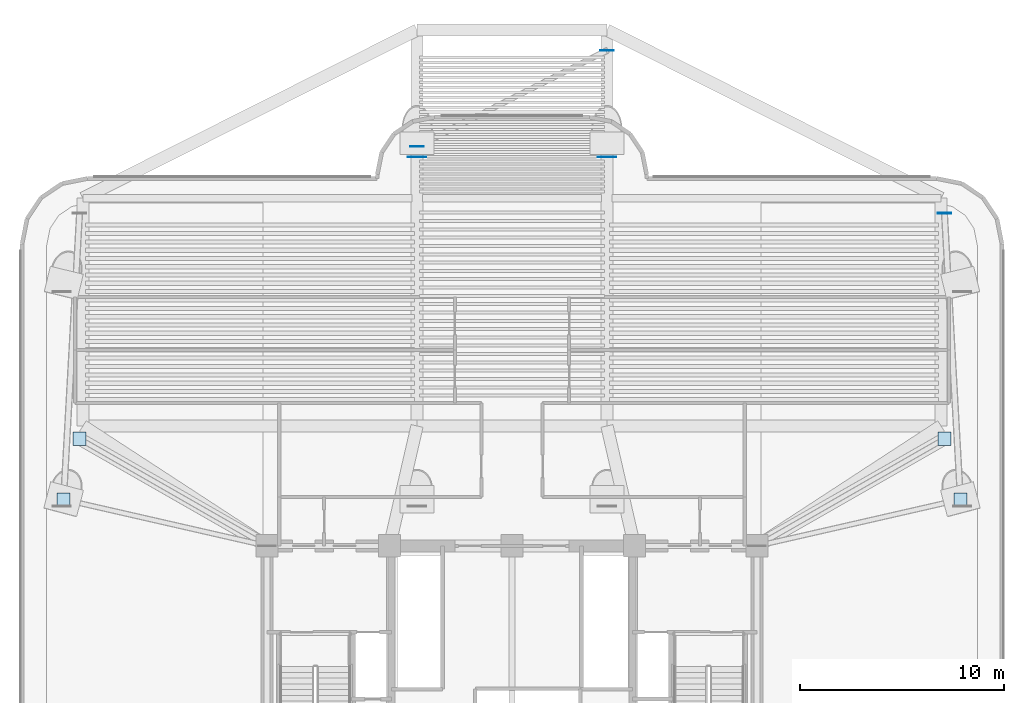
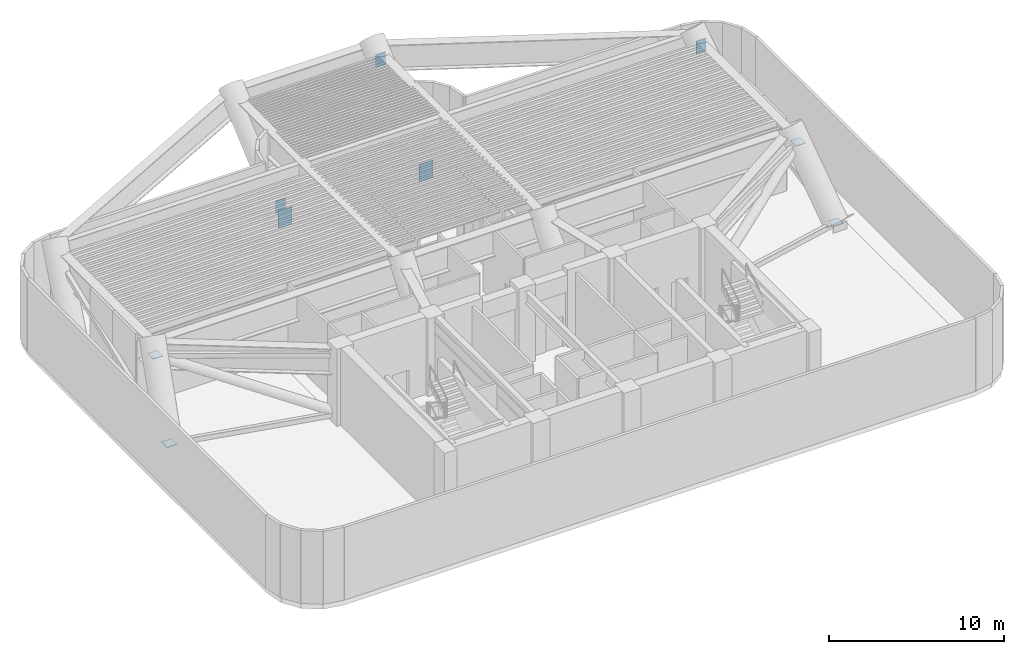
# One storey, part 4 of 11: 9 plates.
"""IFC4 building model written with IfcOpenShell, lengths in metres."""

from ifc_helpers import new_model, si_unit, direction, frame, origin, origin_2d, place, context, subcontext, project, spatial, rectangle, extrude, source, transform, mapped, material, type_object, element, save


model = new_model("IFC4")

# Units and contexts
model_context = context("Model", 3, precision=1e-05, world=origin(), true_north=direction((0.0, 1.0)))
body_context = subcontext(model_context, "Body", "Model", "MODEL_VIEW")
ifc_project = project(units=[si_unit("LENGTHUNIT", "METRE"), si_unit("AREAUNIT", "SQUARE_METRE"), si_unit("VOLUMEUNIT", "CUBIC_METRE"), si_unit("PLANEANGLEUNIT", "RADIAN"), si_unit("MASSUNIT", "GRAM", prefix="KILO")], contexts=[model_context])

# Site, building, storey
site_placement = place(None, origin())
site = spatial("IfcSite", under=ifc_project, at=site_placement, CompositionType="ELEMENT")
building_placement = place(site_placement, origin())
building = spatial("IfcBuilding", under=site, at=building_placement, Name="Brelvock Crest Care Tower", CompositionType="ELEMENT")
storey_placement = place(building_placement, frame((0.0, 0.0, 79.919921875)))
storey = spatial("IfcBuildingStorey", under=building, at=storey_placement, Name="L20", CompositionType="ELEMENT", Elevation=79.919921875)

# Plates
ifc_material = material(Name="Steel Grade 350", Category="steel")
plate_type_1 = type_object("IfcPlateType", Name="PLT-KN1", PredefinedType="USERDEFINED", material=ifc_material)
shared_shape_1 = source(origin(), body_context, "Body", "SweptSolid", [
    extrude(rectangle(XDim=0.89990234375, YDim=0.0400390625, at=origin_2d()), origin(), (0.0, 0.0, 1.0), 1.199951171875),
])
for number, where, z_axis, x_axis, name in (
    (1, (31.35009765625, 37.050048828125, -0.64990234375), (0.0, 0.0, 1.0), (1.0, 0.0, 0.0), "PLT-KINK-L20-07"),
    (2, (40.64990234375, 37.050048828125, -0.64990234375), (0.0, 0.0, 1.0), (1.0, 0.0, 0.0), "PLT-KINK-L20-08"),
):
    element("IfcPlate", number, at=place(storey_placement, frame(where, z_axis=z_axis, x_axis=x_axis)), inside=storey, type_object=plate_type_1, Name=name, ObjectType="GUSSET", PredefinedType="USERDEFINED", context=body_context, shape_type="MappedRepresentation", body=[
        mapped(shared_shape_1, transform((0.0, 0.0, 0.0), x_axis=(1.0, 0.0, 0.0), y_axis=(0.0, 1.0, 0.0), z_axis=(0.0, 0.0, 1.0), scale=1.0)),
    ])
plate_type_2 = type_object("IfcPlateType", Name="PLT-EC2", PredefinedType="USERDEFINED", material=ifc_material)
shared_shape_2 = source(origin(), body_context, "Body", "SweptSolid", [
    extrude(rectangle(XDim=0.64990234375, YDim=0.64990234375, at=origin_2d()), origin(), (0.0, 0.0, 1.0), 0.02490234375),
])
for number, where, z_axis, x_axis, name in (
    (3, (14.036376953125, 20.27734375, 0.437744140625), (0.0, 0.0, 1.0), (1.0, 0.0, 0.0), "PLT-CAP-OT-L20-W1"),
    (4, (14.8193359375, 23.24462890625, 4.517578125), (0.0, 0.0, 1.0), (1.0, 0.0, 0.0), "PLT-CAP-OTT-L20-W1"),
    (5, (57.963623046875, 20.27734375, 0.437744140625), (0.0, 0.0, 1.0), (1.0, 0.0, 0.0), "PLT-CAP-OT-L20-E1"),
    (6, (57.1806640625, 23.24462890625, 4.517578125), (0.0, 0.0, 1.0), (1.0, 0.0, 0.0), "PLT-CAP-OTT-L20-E1"),
):
    element("IfcPlate", number, at=place(storey_placement, frame(where, z_axis=z_axis, x_axis=x_axis)), inside=storey, type_object=plate_type_2, Name=name, ObjectType="FLANGE_PLATE", PredefinedType="USERDEFINED", context=body_context, shape_type="MappedRepresentation", body=[
        mapped(shared_shape_2, transform((0.0, 0.0, 0.0), x_axis=(1.0, 0.0, 0.0), y_axis=(0.0, 1.0, 0.0), z_axis=(0.0, 0.0, 1.0), scale=1.0)),
    ])
plate_type_3 = type_object("IfcPlateType", Name="PLT-BN1", PredefinedType="USERDEFINED", material=ifc_material)
shared_shape_3 = source(origin(), body_context, "Body", "SweptSolid", [
    extrude(rectangle(XDim=0.64990234375, YDim=0.028076171875, at=origin_2d()), origin(), (0.0, 0.0, 1.0), 0.89990234375),
])
for number, where, z_axis, x_axis, name in (
    (7, (57.1806640625, 34.293701171875, 4.080078125), (0.0, 0.0, 1.0), (1.0, 0.0, 0.0), "PLT-BT-L20-BE"),
    (8, (40.64990234375, 42.266357421875, 4.080078125), (0.0, 0.0, 1.0), (1.0, 0.0, 0.0), "PLT-BT-L20-BN"),
    (9, (31.35009765625, 37.568115234375, 0.000244140625), (0.0, 0.0, 1.0), (1.0, 0.0, 0.0), "PLT-BTC1-L20-BN"),
):
    element("IfcPlate", number, at=place(storey_placement, frame(where, z_axis=z_axis, x_axis=x_axis)), inside=storey, type_object=plate_type_3, Name=name, ObjectType="GUSSET", PredefinedType="USERDEFINED", context=body_context, shape_type="MappedRepresentation", body=[
        mapped(shared_shape_3, transform((0.0, 0.0, 0.0), x_axis=(1.0, 0.0, 0.0), y_axis=(0.0, 1.0, 0.0), z_axis=(0.0, 0.0, 1.0), scale=1.0)),
    ])

save(model, "model.ifc")
